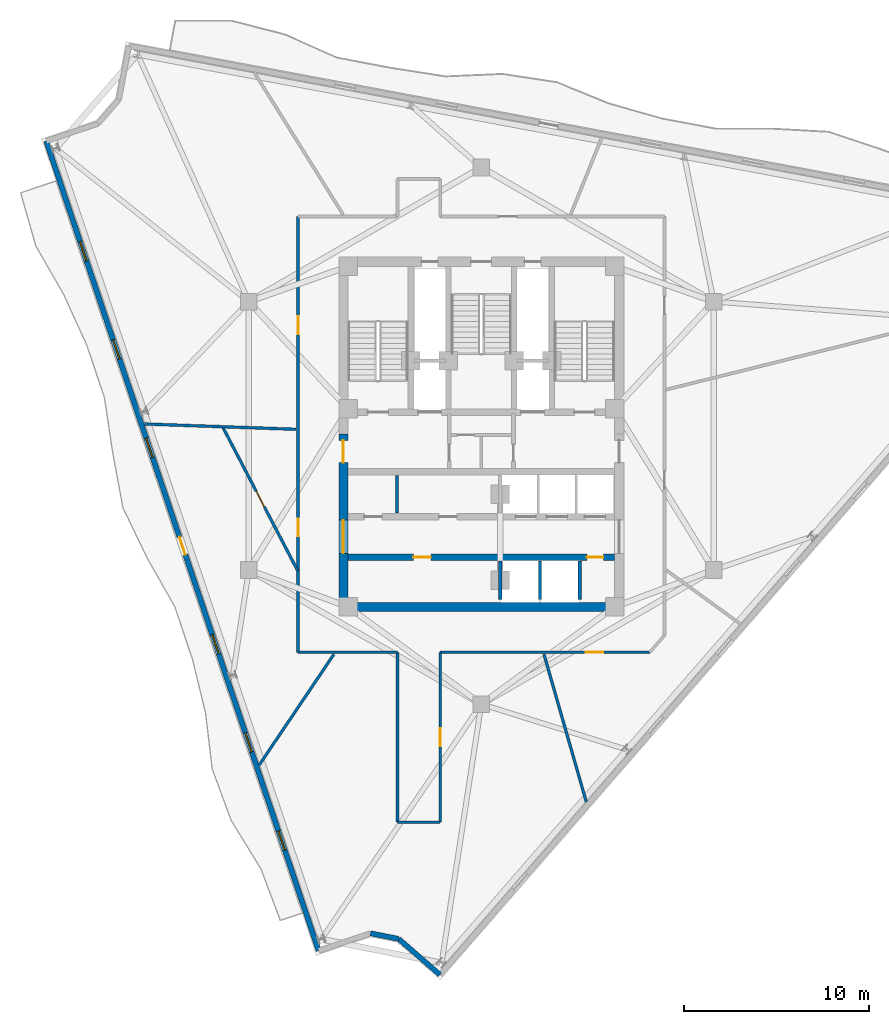
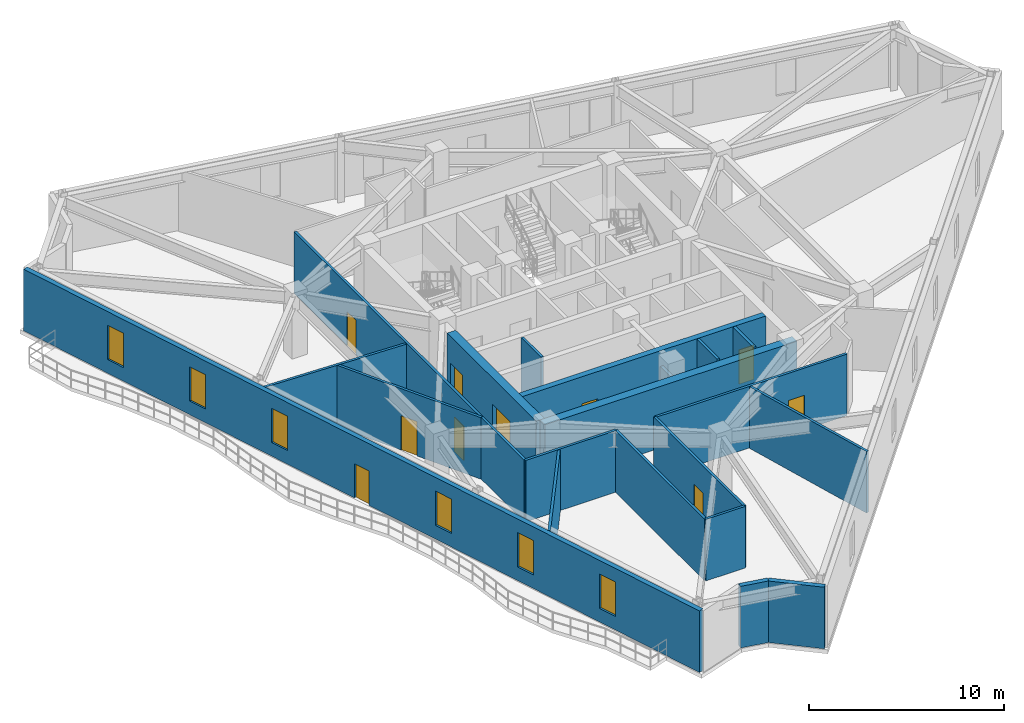
# One storey, part 4 of 9: 20 walls, 10 doors, 6 windows, 16 openings.
"""IFC4 building model written with IfcOpenShell, lengths in metres."""

from ifc_helpers import new_model, si_unit, direction, frame, frame_2d, origin, place, context, subcontext, project, spatial, rectangle, extrude, material, layer, layer_set, type_object, element, fill, save


model = new_model("IFC4")

# Units and contexts
model_context = context("Model", 3, precision=1e-05, world=origin(), true_north=direction((0.0, 1.0)))
body_context = subcontext(model_context, "Body", "Model", "MODEL_VIEW")
ifc_project = project(units=[si_unit("LENGTHUNIT", "METRE"), si_unit("AREAUNIT", "SQUARE_METRE"), si_unit("VOLUMEUNIT", "CUBIC_METRE"), si_unit("PLANEANGLEUNIT", "RADIAN"), si_unit("MASSUNIT", "GRAM", prefix="KILO")], contexts=[model_context])

# Site, building, storey
site_placement = place(None, origin())
site = spatial("IfcSite", under=ifc_project, at=site_placement, CompositionType="ELEMENT")
building_placement = place(site_placement, origin())
building = spatial("IfcBuilding", under=site, at=building_placement, Name="Apsidion Concourse Tower", CompositionType="ELEMENT")
storey_placement = place(building_placement, frame((0.0, 0.0, 277.800048828125)))
storey = spatial("IfcBuildingStorey", under=building, at=storey_placement, Name="L65", CompositionType="ELEMENT", Elevation=277.800048828125)

# Walls
ifc_material_1 = material(Name="Precast concrete C40/50", Category="concrete")
ifc_layer_1 = layer(ifc_material_1, 0.280029296875)
ifc_layer_set_1 = layer_set([ifc_layer_1], Name="Precast concrete C40/50")
wall_type_1 = type_object("IfcWallType", Name="WL-EXT-280", PredefinedType="STANDARD", material=ifc_layer_set_1)
wall_1_placement = place(storey_placement, frame((-2.235595703125, -29.126220703125, 0.0), z_axis=(0.0, 0.0, 1.0), x_axis=(-0.754753154029, 0.656008899698, 0.0)))
element("IfcWall", 1, at=wall_1_placement, inside=storey, type_object=wall_type_1, Name="L65 Precast Stone Facade Wall 06", PredefinedType="STANDARD", context=body_context, shape_type="SweptSolid", body=[
    extrude(rectangle(XDim=2.95458984375, YDim=0.280029296875, at=frame_2d((1.477294921875, 0.0))), origin(), (0.0, 0.0, 1.0), 3.849853515625),
])
wall_2_placement = place(storey_placement, frame((-4.465576171875, -27.18798828125, 0.0), z_axis=(0.0, 0.0, 1.0), x_axis=(-0.980935552899, 0.194333324621, 0.0)))
element("IfcWall", 2, at=wall_2_placement, inside=storey, type_object=wall_type_1, Name="L65 Precast Stone Facade Wall 07", PredefinedType="STANDARD", context=body_context, shape_type="SweptSolid", body=[
    extrude(rectangle(XDim=1.553955078125, YDim=0.280029296875, at=frame_2d((0.77685546875, 0.0))), origin(), (0.0, 0.0, 1.0), 3.849853515625),
])

# Wall, openings, door, windows
wall_3_placement = place(storey_placement, frame((-8.790283203125, -27.828125, 0.0), z_axis=(0.0, 0.0, 1.0), x_axis=(-0.318898365887, 0.947788917552, 0.0)))
wall_3 = element("IfcWall", 3, at=wall_3_placement, inside=storey, type_object=wall_type_1, Name="L65 Precast Stone Facade Wall 09", PredefinedType="STANDARD", context=body_context, shape_type="SweptSolid", body=[
    extrude(rectangle(XDim=46.16259765625, YDim=0.280029296875, at=frame_2d((23.081298828125, 0.0))), origin(), (0.0, 0.0, 1.0), 3.849853515625),
])
opening_1_placement = place(wall_3_placement, frame((22.581298828125, 0.0, 0.0)))
opening_1 = element("IfcOpeningElement", 4, at=opening_1_placement, cuts=wall_3, Name="Opening D-T1L", PredefinedType="OPENING", context=body_context, shape_type="SweptSolid", body=[
    extrude(rectangle(XDim=1.0, YDim=2.14990234375, at=frame_2d((0.5, 1.074951171875))), frame((0.0, 0.14990234375, 0.0), z_axis=(0.0, -1.0, 0.0), x_axis=(1.0, 0.0, 0.0)), (0.0, 0.0, 1.0), 0.300048828125),
])
opening_2_placement = place(wall_3_placement, frame((5.731201171875, 0.0, 0.85009765625)))
opening_2 = element("IfcOpeningElement", 5, at=opening_2_placement, cuts=wall_3, Name="Opening WN-07", PredefinedType="OPENING", context=body_context, shape_type="SweptSolid", body=[
    extrude(rectangle(XDim=1.10009765625, YDim=2.14990234375, at=frame_2d((0.550048828125, 1.074951171875))), frame((0.0, 0.14990234375, 0.0), z_axis=(0.0, -1.0, 0.0), x_axis=(1.0, 0.0, 0.0)), (0.0, 0.0, 1.0), 0.300048828125),
])
opening_3_placement = place(wall_3_placement, frame((11.331298828125, 0.0, 0.85009765625)))
opening_3 = element("IfcOpeningElement", 6, at=opening_3_placement, cuts=wall_3, Name="Opening WN-07", PredefinedType="OPENING", context=body_context, shape_type="SweptSolid", body=[
    extrude(rectangle(XDim=1.10009765625, YDim=2.14990234375, at=frame_2d((0.550048828125, 1.074951171875))), frame((0.0, 0.14990234375, 0.0), z_axis=(0.0, -1.0, 0.0), x_axis=(1.0, 0.0, 0.0)), (0.0, 0.0, 1.0), 0.300048828125),
])
opening_4_placement = place(wall_3_placement, frame((16.931396484375, 0.0, 0.85009765625)))
opening_4 = element("IfcOpeningElement", 7, at=opening_4_placement, cuts=wall_3, Name="Opening WN-07", PredefinedType="OPENING", context=body_context, shape_type="SweptSolid", body=[
    extrude(rectangle(XDim=1.10009765625, YDim=2.14990234375, at=frame_2d((0.550048828125, 1.074951171875))), frame((0.0, 0.14990234375, 0.0), z_axis=(0.0, -1.0, 0.0), x_axis=(1.0, 0.0, 0.0)), (0.0, 0.0, 1.0), 0.300048828125),
])
opening_5_placement = place(wall_3_placement, frame((28.13134765625, 0.0, 0.85009765625)))
opening_5 = element("IfcOpeningElement", 8, at=opening_5_placement, cuts=wall_3, Name="Opening WN-07", PredefinedType="OPENING", context=body_context, shape_type="SweptSolid", body=[
    extrude(rectangle(XDim=1.10009765625, YDim=2.14990234375, at=frame_2d((0.550048828125, 1.074951171875))), frame((0.0, 0.14990234375, 0.0), z_axis=(0.0, -1.0, 0.0), x_axis=(1.0, 0.0, 0.0)), (0.0, 0.0, 1.0), 0.300048828125),
])
opening_6_placement = place(wall_3_placement, frame((33.731201171875, 0.0, 0.85009765625)))
opening_6 = element("IfcOpeningElement", 9, at=opening_6_placement, cuts=wall_3, Name="Opening WN-07", PredefinedType="OPENING", context=body_context, shape_type="SweptSolid", body=[
    extrude(rectangle(XDim=1.10009765625, YDim=2.14990234375, at=frame_2d((0.550048828125, 1.074951171875))), frame((0.0, 0.14990234375, 0.0), z_axis=(0.0, -1.0, 0.0), x_axis=(1.0, 0.0, 0.0)), (0.0, 0.0, 1.0), 0.300048828125),
])
opening_7_placement = place(wall_3_placement, frame((39.331298828125, 0.0, 0.85009765625)))
opening_7 = element("IfcOpeningElement", 10, at=opening_7_placement, cuts=wall_3, Name="Opening WN-07", PredefinedType="OPENING", context=body_context, shape_type="SweptSolid", body=[
    extrude(rectangle(XDim=1.10009765625, YDim=2.14990234375, at=frame_2d((0.550048828125, 1.074951171875))), frame((0.0, 0.14990234375, 0.0), z_axis=(0.0, -1.0, 0.0), x_axis=(1.0, 0.0, 0.0)), (0.0, 0.0, 1.0), 0.300048828125),
])
ifc_material_2 = material(Name="Anodised aluminium EN AW-6063 T6", Category="aluminium")
door_type_1 = type_object("IfcDoorType", Name="DR-TER-1022L", OperationType="SINGLE_SWING_LEFT", PredefinedType="DOOR", material=ifc_material_2)
door_1_placement = place(opening_1_placement, origin())
door_1 = element("IfcDoor", 11, at=door_1_placement, inside=storey, type_object=door_type_1, Name="L65 Balcony Access Door 2", OperationType="SINGLE_SWING_LEFT", OverallHeight=2.14990234375, OverallWidth=1.0, PredefinedType="DOOR", context=body_context, shape_type="SweptSolid", body=[
    extrude(rectangle(XDim=1.0, YDim=2.14990234375, at=frame_2d((0.5, 1.074951171875))), frame((0.0, 0.02490234375, 0.0), z_axis=(0.0, -1.0, 0.0), x_axis=(1.0, 0.0, 0.0)), (0.0, 0.0, 1.0), 0.050048828125),
])
fill(opening_1, door_1)
ifc_material_3 = material(Name="Insulated laminated low-E glass", Category="glass")
window_type = type_object("IfcWindowType", Name="WN-OFF-1123", PartitioningType="SINGLE_PANEL", PredefinedType="WINDOW", material=ifc_material_3)
window_1_placement = place(opening_2_placement, origin())
window_1 = element("IfcWindow", 12, at=window_1_placement, inside=storey, type_object=window_type, Name="L65 Punched Facade Window 9-01", OverallHeight=2.14990234375, OverallWidth=1.10009765625, PartitioningType="SINGLE_PANEL", PredefinedType="WINDOW", context=body_context, shape_type="SweptSolid", body=[
    extrude(rectangle(XDim=1.10009765625, YDim=2.14990234375, at=frame_2d((0.550048828125, 1.074951171875))), frame((0.0, 0.030029296875, 0.0), z_axis=(0.0, -1.0, 0.0), x_axis=(1.0, 0.0, 0.0)), (0.0, 0.0, 1.0), 0.06005859375),
])
fill(opening_2, window_1)
window_2_placement = place(opening_3_placement, origin())
window_2 = element("IfcWindow", 13, at=window_2_placement, inside=storey, type_object=window_type, Name="L65 Punched Facade Window 9-02", OverallHeight=2.14990234375, OverallWidth=1.10009765625, PartitioningType="SINGLE_PANEL", PredefinedType="WINDOW", context=body_context, shape_type="SweptSolid", body=[
    extrude(rectangle(XDim=1.10009765625, YDim=2.14990234375, at=frame_2d((0.550048828125, 1.074951171875))), frame((0.0, 0.030029296875, 0.0), z_axis=(0.0, -1.0, 0.0), x_axis=(1.0, 0.0, 0.0)), (0.0, 0.0, 1.0), 0.06005859375),
])
fill(opening_3, window_2)
window_3_placement = place(opening_4_placement, origin())
window_3 = element("IfcWindow", 14, at=window_3_placement, inside=storey, type_object=window_type, Name="L65 Punched Facade Window 9-03", OverallHeight=2.14990234375, OverallWidth=1.10009765625, PartitioningType="SINGLE_PANEL", PredefinedType="WINDOW", context=body_context, shape_type="SweptSolid", body=[
    extrude(rectangle(XDim=1.10009765625, YDim=2.14990234375, at=frame_2d((0.550048828125, 1.074951171875))), frame((0.0, 0.030029296875, 0.0), z_axis=(0.0, -1.0, 0.0), x_axis=(1.0, 0.0, 0.0)), (0.0, 0.0, 1.0), 0.06005859375),
])
fill(opening_4, window_3)
window_4_placement = place(opening_5_placement, origin())
window_4 = element("IfcWindow", 15, at=window_4_placement, inside=storey, type_object=window_type, Name="L65 Punched Facade Window 9-05", OverallHeight=2.14990234375, OverallWidth=1.10009765625, PartitioningType="SINGLE_PANEL", PredefinedType="WINDOW", context=body_context, shape_type="SweptSolid", body=[
    extrude(rectangle(XDim=1.10009765625, YDim=2.14990234375, at=frame_2d((0.550048828125, 1.074951171875))), frame((0.0, 0.030029296875, 0.0), z_axis=(0.0, -1.0, 0.0), x_axis=(1.0, 0.0, 0.0)), (0.0, 0.0, 1.0), 0.06005859375),
])
fill(opening_5, window_4)
window_5_placement = place(opening_6_placement, origin())
window_5 = element("IfcWindow", 16, at=window_5_placement, inside=storey, type_object=window_type, Name="L65 Punched Facade Window 9-06", OverallHeight=2.14990234375, OverallWidth=1.10009765625, PartitioningType="SINGLE_PANEL", PredefinedType="WINDOW", context=body_context, shape_type="SweptSolid", body=[
    extrude(rectangle(XDim=1.10009765625, YDim=2.14990234375, at=frame_2d((0.550048828125, 1.074951171875))), frame((0.0, 0.030029296875, 0.0), z_axis=(0.0, -1.0, 0.0), x_axis=(1.0, 0.0, 0.0)), (0.0, 0.0, 1.0), 0.06005859375),
])
fill(opening_6, window_5)
window_6_placement = place(opening_7_placement, origin())
window_6 = element("IfcWindow", 17, at=window_6_placement, inside=storey, type_object=window_type, Name="L65 Punched Facade Window 9-07", OverallHeight=2.14990234375, OverallWidth=1.10009765625, PartitioningType="SINGLE_PANEL", PredefinedType="WINDOW", context=body_context, shape_type="SweptSolid", body=[
    extrude(rectangle(XDim=1.10009765625, YDim=2.14990234375, at=frame_2d((0.550048828125, 1.074951171875))), frame((0.0, 0.030029296875, 0.0), z_axis=(0.0, -1.0, 0.0), x_axis=(1.0, 0.0, 0.0)), (0.0, 0.0, 1.0), 0.06005859375),
])
fill(opening_7, window_6)

# Walls
ifc_material_4 = material(Name="Gypsum plasterboard partition")
ifc_layer_2 = layer(ifc_material_4, 0.14990234375)
ifc_layer_set_2 = layer_set([ifc_layer_2], Name="Gypsum plasterboard partition")
wall_type_2 = type_object("IfcWallType", Name="WL-INT-PAR-150", PredefinedType="PARTITIONING", material=ifc_layer_set_2)
wall_4_placement = place(storey_placement, frame((-4.550048828125, -4.179931640625, 0.0), z_axis=(0.0, 0.0, 1.0), x_axis=(0.0, 1.0, 0.0)))
element("IfcWall", 18, at=wall_4_placement, inside=storey, type_object=wall_type_2, Name="L65 Interior Partition WL-L65-B1RV1", PredefinedType="PARTITIONING", context=body_context, shape_type="SweptSolid", body=[
    extrude(rectangle(XDim=2.030029296875, YDim=0.14990234375, at=frame_2d((1.01513671875, 0.0))), origin(), (0.0, 0.0, 1.0), 3.849853515625),
])
wall_5_placement = place(storey_placement, frame((3.175048828125, -8.85009765625, 0.0), z_axis=(0.0, 0.0, 1.0), x_axis=(0.0, 1.0, 0.0)))
element("IfcWall", 19, at=wall_5_placement, inside=storey, type_object=wall_type_2, Name="L65 Interior Partition WL-L65-SHDIV-1", PredefinedType="PARTITIONING", context=body_context, shape_type="SweptSolid", body=[
    extrude(rectangle(XDim=2.080078125, YDim=0.14990234375, at=frame_2d((1.0400390625, 0.0))), origin(), (0.0, 0.0, 1.0), 3.849853515625),
])
wall_6_placement = place(storey_placement, frame((-4.530029296875, -11.699951171875, 0.0), z_axis=(0.0, 0.0, 1.0), x_axis=(-1.0, 0.0, 0.0)))
element("IfcWall", 20, at=wall_6_placement, inside=storey, type_object=wall_type_2, Name="L65 Interior Partition WL-L65-CORR-01", PredefinedType="PARTITIONING", context=body_context, shape_type="SweptSolid", body=[
    extrude(rectangle(XDim=5.369873046875, YDim=0.14990234375, at=frame_2d((2.68505859375, 0.0))), origin(), (0.0, 0.0, 1.0), 3.849853515625),
])

# Wall, openings, doors
wall_7_placement = place(storey_placement, frame((-9.89990234375, -11.699951171875, 0.0), z_axis=(0.0, 0.0, 1.0), x_axis=(0.0, 1.0, 0.0)))
wall_7 = element("IfcWall", 21, at=wall_7_placement, inside=storey, type_object=wall_type_2, Name="L65 Interior Partition WL-L65-CORR-02", PredefinedType="PARTITIONING", context=body_context, shape_type="SweptSolid", body=[
    extrude(rectangle(XDim=23.550048828125, YDim=0.14990234375, at=frame_2d((11.77490234375, 0.0))), origin(), (0.0, 0.0, 1.0), 3.849853515625),
])
opening_8_placement = place(wall_7_placement, frame((6.2763671875, 0.0, 0.0)))
opening_8 = element("IfcOpeningElement", 22, at=opening_8_placement, cuts=wall_7, Name="Opening D-01L", PredefinedType="OPENING", context=body_context, shape_type="SweptSolid", body=[
    extrude(rectangle(XDim=0.949951171875, YDim=2.14990234375, at=frame_2d((0.47509765625, 1.074951171875))), frame((0.0, 0.0849609375, 0.0), z_axis=(0.0, -1.0, 0.0), x_axis=(1.0, 0.0, 0.0)), (0.0, 0.0, 1.0), 0.169921875),
])
opening_9_placement = place(wall_7_placement, frame((17.197021484375, 0.0, 0.0)))
opening_9 = element("IfcOpeningElement", 23, at=opening_9_placement, cuts=wall_7, Name="Opening D-01L", PredefinedType="OPENING", context=body_context, shape_type="SweptSolid", body=[
    extrude(rectangle(XDim=0.949951171875, YDim=2.14990234375, at=frame_2d((0.47509765625, 1.074951171875))), frame((0.0, 0.0849609375, 0.0), z_axis=(0.0, -1.0, 0.0), x_axis=(1.0, 0.0, 0.0)), (0.0, 0.0, 1.0), 0.169921875),
])
ifc_material_5 = material(Name="Brushed stainless steel 316", Category="steel")
door_type_2 = type_object("IfcDoorType", Name="DR-INT-D01L", OperationType="SINGLE_SWING_LEFT", PredefinedType="DOOR", material=ifc_material_5)
door_2_placement = place(opening_8_placement, origin())
door_2 = element("IfcDoor", 24, at=door_2_placement, inside=storey, type_object=door_type_2, Name="L65 Corridor Entry Door 01", OperationType="SINGLE_SWING_LEFT", OverallHeight=2.14990234375, OverallWidth=0.949951171875, PredefinedType="DOOR", context=body_context, shape_type="SweptSolid", body=[
    extrude(rectangle(XDim=0.949951171875, YDim=2.14990234375, at=frame_2d((0.47509765625, 1.074951171875))), frame((0.0, 0.02490234375, 0.0), z_axis=(0.0, -1.0, 0.0), x_axis=(1.0, 0.0, 0.0)), (0.0, 0.0, 1.0), 0.050048828125),
])
fill(opening_8, door_2)
door_3_placement = place(opening_9_placement, origin())
door_3 = element("IfcDoor", 25, at=door_3_placement, inside=storey, type_object=door_type_2, Name="L65 Corridor Entry Door 07", OperationType="SINGLE_SWING_LEFT", OverallHeight=2.14990234375, OverallWidth=0.949951171875, PredefinedType="DOOR", context=body_context, shape_type="SweptSolid", body=[
    extrude(rectangle(XDim=0.949951171875, YDim=2.14990234375, at=frame_2d((0.47509765625, 1.074951171875))), frame((0.0, 0.02490234375, 0.0), z_axis=(0.0, -1.0, 0.0), x_axis=(1.0, 0.0, 0.0)), (0.0, 0.0, 1.0), 0.050048828125),
])
fill(opening_9, door_3)

# Wall, opening, door
wall_8_placement = place(storey_placement, frame((9.103271484375, -11.699951171875, 0.0), z_axis=(0.0, 0.0, 1.0), x_axis=(-1.0, 0.0, 0.0)))
wall_8 = element("IfcWall", 26, at=wall_8_placement, inside=storey, type_object=wall_type_2, Name="L65 Interior Partition WL-L65-CORR-10", PredefinedType="PARTITIONING", context=body_context, shape_type="SweptSolid", body=[
    extrude(rectangle(XDim=11.3232421875, YDim=0.14990234375, at=frame_2d((5.66162109375, 0.0))), origin(), (0.0, 0.0, 1.0), 3.849853515625),
])
opening_10_placement = place(wall_8_placement, frame((2.51318359375, 0.0, 0.0)))
opening_10 = element("IfcOpeningElement", 27, at=opening_10_placement, cuts=wall_8, Name="Opening D-01L", PredefinedType="OPENING", context=body_context, shape_type="SweptSolid", body=[
    extrude(rectangle(XDim=0.949951171875, YDim=2.14990234375, at=frame_2d((0.47509765625, 1.074951171875))), frame((0.0, 0.0849609375, 0.0), z_axis=(0.0, -1.0, 0.0), x_axis=(1.0, 0.0, 0.0)), (0.0, 0.0, 1.0), 0.169921875),
])
door_4_placement = place(opening_10_placement, origin())
door_4 = element("IfcDoor", 28, at=door_4_placement, inside=storey, type_object=door_type_2, Name="L65 Corridor Entry Door 03", OperationType="SINGLE_SWING_LEFT", OverallHeight=2.14990234375, OverallWidth=0.949951171875, PredefinedType="DOOR", context=body_context, shape_type="SweptSolid", body=[
    extrude(rectangle(XDim=0.949951171875, YDim=2.14990234375, at=frame_2d((0.47509765625, 1.074951171875))), frame((0.0, 0.02490234375, 0.0), z_axis=(0.0, -1.0, 0.0), x_axis=(1.0, 0.0, 0.0)), (0.0, 0.0, 1.0), 0.050048828125),
])
fill(opening_10, door_4)

wall_9_placement = place(storey_placement, frame((-2.219970703125, -11.699951171875, 0.0), z_axis=(0.0, 0.0, 1.0), x_axis=(0.0, -1.0, 0.0)))
wall_9 = element("IfcWall", 29, at=wall_9_placement, inside=storey, type_object=wall_type_2, Name="L65 Interior Partition WL-L65-CORR-11", PredefinedType="PARTITIONING", context=body_context, shape_type="SweptSolid", body=[
    extrude(rectangle(XDim=9.179931640625, YDim=0.14990234375, at=frame_2d((4.58984375, 0.0))), origin(), (0.0, 0.0, 1.0), 3.849853515625),
])
opening_11_placement = place(wall_9_placement, frame((4.114990234375, 0.0, 0.0)))
opening_11 = element("IfcOpeningElement", 30, at=opening_11_placement, cuts=wall_9, Name="Opening D-01R", PredefinedType="OPENING", context=body_context, shape_type="SweptSolid", body=[
    extrude(rectangle(XDim=0.949951171875, YDim=2.14990234375, at=frame_2d((0.47509765625, 1.074951171875))), frame((0.0, 0.0849609375, 0.0), z_axis=(0.0, -1.0, 0.0), x_axis=(1.0, 0.0, 0.0)), (0.0, 0.0, 1.0), 0.169921875),
])
door_type_3 = type_object("IfcDoorType", Name="DR-INT-D01R", OperationType="SINGLE_SWING_RIGHT", PredefinedType="DOOR", material=ifc_material_5)
door_5_placement = place(opening_11_placement, origin())
door_5 = element("IfcDoor", 31, at=door_5_placement, inside=storey, type_object=door_type_3, Name="L65 Corridor Entry Door 02", OperationType="SINGLE_SWING_RIGHT", OverallHeight=2.14990234375, OverallWidth=0.949951171875, PredefinedType="DOOR", context=body_context, shape_type="SweptSolid", body=[
    extrude(rectangle(XDim=0.949951171875, YDim=2.14990234375, at=frame_2d((0.47509765625, 1.074951171875))), frame((0.0, 0.02490234375, 0.0), z_axis=(0.0, -1.0, 0.0), x_axis=(1.0, 0.0, 0.0)), (0.0, 0.0, 1.0), 0.050048828125),
])
fill(opening_11, door_5)

# Walls
wall_10_placement = place(storey_placement, frame((-2.219970703125, -20.8798828125, 0.0), z_axis=(0.0, 0.0, 1.0), x_axis=(-1.0, 0.0, 0.0)))
element("IfcWall", 32, at=wall_10_placement, inside=storey, type_object=wall_type_2, Name="L65 Interior Partition WL-L65-CORR-12", PredefinedType="PARTITIONING", context=body_context, shape_type="SweptSolid", body=[
    extrude(rectangle(XDim=2.31005859375, YDim=0.14990234375, at=frame_2d((1.155029296875, 0.0))), origin(), (0.0, 0.0, 1.0), 3.849853515625),
])
wall_11_placement = place(storey_placement, frame((-4.530029296875, -20.8798828125, 0.0), z_axis=(0.0, 0.0, 1.0), x_axis=(0.0, 1.0, 0.0)))
element("IfcWall", 33, at=wall_11_placement, inside=storey, type_object=wall_type_2, Name="L65 Interior Partition WL-L65-CORR-13", PredefinedType="PARTITIONING", context=body_context, shape_type="SweptSolid", body=[
    extrude(rectangle(XDim=9.179931640625, YDim=0.14990234375, at=frame_2d((4.58984375, 0.0))), origin(), (0.0, 0.0, 1.0), 3.849853515625),
])
wall_12_placement = place(storey_placement, frame((-10.0048828125, 0.349365234375, 0.0), z_axis=(0.0, 0.0, 1.0), x_axis=(-0.999390561488, 0.034907099682, 0.0)))
element("IfcWall", 34, at=wall_12_placement, inside=storey, type_object=wall_type_2, Name="L65 Interior Partition WL-L65-RAD-04-1", PredefinedType="PARTITIONING", context=body_context, shape_type="SweptSolid", body=[
    extrude(rectangle(XDim=8.203857421875, YDim=0.14990234375, at=frame_2d((4.10205078125, 0.0))), origin(), (0.0, 0.0, 1.0), 3.849853515625),
])
wall_13_placement = place(storey_placement, frame((-7.962646484375, -11.804931640625, 0.0), z_axis=(0.0, 0.0, 1.0), x_axis=(-0.55918380031, -0.829043712642, 0.0)))
element("IfcWall", 35, at=wall_13_placement, inside=storey, type_object=wall_type_2, Name="L65 Interior Partition WL-L65-RAD-05-1", PredefinedType="PARTITIONING", context=body_context, shape_type="SweptSolid", body=[
    extrude(rectangle(XDim=7.224853515625, YDim=0.14990234375, at=frame_2d((3.6123046875, 0.0))), origin(), (0.0, 0.0, 1.0), 3.849853515625),
])
wall_14_placement = place(storey_placement, frame((3.385009765625, -11.804931640625, 0.0), z_axis=(0.0, 0.0, 1.0), x_axis=(0.275648725589, -0.961258435636, 0.0)))
element("IfcWall", 36, at=wall_14_placement, inside=storey, type_object=wall_type_2, Name="L65 Interior Partition WL-L65-RAD-06-1", PredefinedType="PARTITIONING", context=body_context, shape_type="SweptSolid", body=[
    extrude(rectangle(XDim=8.306884765625, YDim=0.14990234375, at=frame_2d((4.1533203125, 0.0))), origin(), (0.0, 0.0, 1.0), 3.849853515625),
])

# Wall, opening, door
wall_15_placement = place(storey_placement, frame((-13.967041015625, 0.462646484375, 0.0), z_axis=(0.0, 0.0, 1.0), x_axis=(0.462401079281, -0.886670875737, 0.0)))
wall_15 = element("IfcWall", 37, at=wall_15_placement, inside=storey, type_object=wall_type_2, Name="L65 Interior Partition WL-L65-CHD-OFWC", PredefinedType="PARTITIONING", context=body_context, shape_type="SweptSolid", body=[
    extrude(rectangle(XDim=8.75244140625, YDim=0.14990234375, at=frame_2d((4.376220703125, 0.0))), origin(), (0.0, 0.0, 1.0), 3.849853515625),
])
opening_12_placement = place(wall_15_placement, frame((3.901123046875, 0.0, 0.0)))
opening_12 = element("IfcOpeningElement", 38, at=opening_12_placement, cuts=wall_15, Name="Opening D-04L", PredefinedType="OPENING", context=body_context, shape_type="SweptSolid", body=[
    extrude(rectangle(XDim=0.949951171875, YDim=2.14990234375, at=frame_2d((0.47509765625, 1.074951171875))), frame((0.0, 0.0849609375, 0.0), z_axis=(0.0, -1.0, 0.0), x_axis=(1.0, 0.0, 0.0)), (0.0, 0.0, 1.0), 0.169921875),
])
door_type_4 = type_object("IfcDoorType", Name="DR-INT-D04L", OperationType="SINGLE_SWING_LEFT", PredefinedType="DOOR", material=ifc_material_5)
door_6_placement = place(opening_12_placement, origin())
door_6 = element("IfcDoor", 39, at=door_6_placement, inside=storey, type_object=door_type_4, Name="L65 Suite Connecting Door OFWC", OperationType="SINGLE_SWING_LEFT", OverallHeight=2.14990234375, OverallWidth=0.949951171875, PredefinedType="DOOR", context=body_context, shape_type="SweptSolid", body=[
    extrude(rectangle(XDim=0.949951171875, YDim=2.14990234375, at=frame_2d((0.47509765625, 1.074951171875))), frame((0.0, 0.02490234375, 0.0), z_axis=(0.0, -1.0, 0.0), x_axis=(1.0, 0.0, 0.0)), (0.0, 0.0, 1.0), 0.050048828125),
])
fill(opening_12, door_6)

# Walls
ifc_layer_3 = layer(ifc_material_4, 0.179931640625)
ifc_layer_set_3 = layer_set([ifc_layer_3], Name="Gypsum plasterboard partition")
wall_type_3 = type_object("IfcWallType", Name="WL-INT-PAR-180", PredefinedType="PARTITIONING", material=ifc_layer_set_3)
wall_16_placement = place(storey_placement, frame((1.02490234375, -8.85009765625, 0.0), z_axis=(0.0, 0.0, 1.0), x_axis=(0.0, 1.0, 0.0)))
element("IfcWall", 40, at=wall_16_placement, inside=storey, type_object=wall_type_3, Name="L65 Interior Partition WL-L65-B2END", PredefinedType="PARTITIONING", context=body_context, shape_type="SweptSolid", body=[
    extrude(rectangle(XDim=2.080078125, YDim=0.179931640625, at=frame_2d((1.0400390625, 0.0))), origin(), (0.0, 0.0, 1.0), 2.89794921875),
])
wall_17_placement = place(storey_placement, frame((5.324951171875, -8.85009765625, 0.0), z_axis=(0.0, 0.0, 1.0), x_axis=(0.0, 1.0, 0.0)))
element("IfcWall", 41, at=wall_17_placement, inside=storey, type_object=wall_type_3, Name="L65 Interior Partition WL-L65-SHDIV-2", PredefinedType="PARTITIONING", context=body_context, shape_type="SweptSolid", body=[
    extrude(rectangle(XDim=2.080078125, YDim=0.179931640625, at=frame_2d((1.0400390625, 0.0))), origin(), (0.0, 0.0, 1.0), 3.849853515625),
])

# Wall, openings, doors
ifc_material_6 = material(Name="Concrete C50/60", Category="concrete")
ifc_layer_4 = layer(ifc_material_6, 0.35009765625)
ifc_layer_set_4 = layer_set([ifc_layer_4], Name="Concrete C50/60")
wall_type_4 = type_object("IfcWallType", Name="WL-SH-350", PredefinedType="SHEAR", material=ifc_layer_set_4)
wall_18_placement = place(storey_placement, frame((-7.199951171875, -6.570068359375, 0.0), z_axis=(0.0, 0.0, 1.0), x_axis=(1.0, 0.0, 0.0)))
wall_18 = element("IfcWall", 42, at=wall_18_placement, inside=storey, type_object=wall_type_4, Name="L65 Central Core Shear Wall LB", PredefinedType="SHEAR", context=body_context, shape_type="SweptSolid", body=[
    extrude(rectangle(XDim=14.39990234375, YDim=0.35009765625, at=frame_2d((7.199951171875, 0.0))), origin(), (0.0, 0.0, 1.0), 3.849853515625),
])
opening_13_placement = place(wall_18_placement, frame((3.52490234375, 0.0, 0.0)))
opening_13 = element("IfcOpeningElement", 43, at=opening_13_placement, cuts=wall_18, Name="Opening D-04L", PredefinedType="OPENING", context=body_context, shape_type="SweptSolid", body=[
    extrude(rectangle(XDim=0.949951171875, YDim=2.14990234375, at=frame_2d((0.47509765625, 1.074951171875))), frame((0.0, 0.18505859375, 0.0), z_axis=(0.0, -1.0, 0.0), x_axis=(1.0, 0.0, 0.0)), (0.0, 0.0, 1.0), 0.3701171875),
])
opening_14_placement = place(wall_18_placement, frame((12.909912109375, 0.0, 0.0)))
opening_14 = element("IfcOpeningElement", 44, at=opening_14_placement, cuts=wall_18, Name="Opening D-05L", PredefinedType="OPENING", context=body_context, shape_type="SweptSolid", body=[
    extrude(rectangle(XDim=0.8798828125, YDim=2.14990234375, at=frame_2d((0.43994140625, 1.074951171875))), frame((0.0, 0.18505859375, 0.0), z_axis=(0.0, -1.0, 0.0), x_axis=(1.0, 0.0, 0.0)), (0.0, 0.0, 1.0), 0.3701171875),
])
door_7_placement = place(opening_13_placement, origin())
door_7 = element("IfcDoor", 45, at=door_7_placement, inside=storey, type_object=door_type_4, Name="L65 Executive Archive and Mail Room Door", OperationType="SINGLE_SWING_LEFT", OverallHeight=2.14990234375, OverallWidth=0.949951171875, PredefinedType="DOOR", context=body_context, shape_type="SweptSolid", body=[
    extrude(rectangle(XDim=0.949951171875, YDim=2.14990234375, at=frame_2d((0.47509765625, 1.074951171875))), frame((0.0, 0.02490234375, 0.0), z_axis=(0.0, -1.0, 0.0), x_axis=(1.0, 0.0, 0.0)), (0.0, 0.0, 1.0), 0.050048828125),
])
fill(opening_13, door_7)
door_type_5 = type_object("IfcDoorType", Name="DR-INT-D05L", OperationType="SINGLE_SWING_LEFT", PredefinedType="DOOR", material=ifc_material_5)
door_8_placement = place(opening_14_placement, origin())
door_8 = element("IfcDoor", 46, at=door_8_placement, inside=storey, type_object=door_type_5, Name="L65 Cleaners Store Door", OperationType="SINGLE_SWING_LEFT", OverallHeight=2.14990234375, OverallWidth=0.8798828125, PredefinedType="DOOR", context=body_context, shape_type="SweptSolid", body=[
    extrude(rectangle(XDim=0.8798828125, YDim=2.14990234375, at=frame_2d((0.43994140625, 1.074951171875))), frame((0.0, 0.02490234375, 0.0), z_axis=(0.0, -1.0, 0.0), x_axis=(1.0, 0.0, 0.0)), (0.0, 0.0, 1.0), 0.050048828125),
])
fill(opening_14, door_8)

ifc_layer_5 = layer(ifc_material_6, 0.5)
ifc_layer_set_5 = layer_set([ifc_layer_5], Name="Concrete C50/60")
wall_type_5 = type_object("IfcWallType", Name="WL-SH-500", PredefinedType="SHEAR", material=ifc_layer_set_5)
wall_19_placement = place(storey_placement, frame((-7.449951171875, -9.0, 0.0), z_axis=(0.0, 0.0, 1.0), x_axis=(0.0, 1.0, 0.0)))
wall_19 = element("IfcWall", 47, at=wall_19_placement, inside=storey, type_object=wall_type_5, Name="L65 Central Core Shear Wall WS", PredefinedType="SHEAR", context=body_context, shape_type="SweptSolid", body=[
    extrude(rectangle(XDim=9.10009765625, YDim=0.5, at=frame_2d((4.550048828125, 0.0))), origin(), (0.0, 0.0, 1.0), 3.849853515625),
])
opening_15_placement = place(wall_19_placement, frame((2.639892578125, 0.0, 0.0)))
opening_15 = element("IfcOpeningElement", 48, at=opening_15_placement, cuts=wall_19, Name="Opening D-06D", PredefinedType="OPENING", context=body_context, shape_type="SweptSolid", body=[
    extrude(rectangle(XDim=1.800048828125, YDim=2.199951171875, at=frame_2d((0.89990234375, 1.10009765625))), frame((0.0, 0.260009765625, 0.0), z_axis=(0.0, -1.0, 0.0), x_axis=(1.0, 0.0, 0.0)), (0.0, 0.0, 1.0), 0.52001953125),
])
opening_16_placement = place(wall_19_placement, frame((7.550048828125, 0.0, 0.0)))
opening_16 = element("IfcOpeningElement", 49, at=opening_16_placement, cuts=wall_19, Name="Opening D-FFL", PredefinedType="OPENING", context=body_context, shape_type="SweptSolid", body=[
    extrude(rectangle(XDim=1.199951171875, YDim=2.14990234375, at=frame_2d((0.60009765625, 1.074951171875))), frame((0.0, 0.260009765625, 0.0), z_axis=(0.0, -1.0, 0.0), x_axis=(1.0, 0.0, 0.0)), (0.0, 0.0, 1.0), 0.52001953125),
])
door_type_6 = type_object("IfcDoorType", Name="DR-INT-D06D", OperationType="DOUBLE_DOOR_SINGLE_SWING", PredefinedType="DOOR", material=ifc_material_5)
door_9_placement = place(opening_15_placement, origin())
door_9 = element("IfcDoor", 50, at=door_9_placement, inside=storey, type_object=door_type_6, Name="L65 Passenger Lift Lobby WS Portal Door", OperationType="DOUBLE_DOOR_SINGLE_SWING", OverallHeight=2.199951171875, OverallWidth=1.800048828125, PredefinedType="DOOR", context=body_context, shape_type="SweptSolid", body=[
    extrude(rectangle(XDim=1.800048828125, YDim=2.199951171875, at=frame_2d((0.89990234375, 1.10009765625))), frame((0.0, 0.02490234375, 0.0), z_axis=(0.0, -1.0, 0.0), x_axis=(1.0, 0.0, 0.0)), (0.0, 0.0, 1.0), 0.050048828125),
])
fill(opening_15, door_9)
door_type_7 = type_object("IfcDoorType", Name="DR-INT-FFL", OperationType="SINGLE_SWING_LEFT", PredefinedType="DOOR", material=ifc_material_5)
door_10_placement = place(opening_16_placement, origin())
door_10 = element("IfcDoor", 51, at=door_10_placement, inside=storey, type_object=door_type_7, Name="L65 Firefighting Lift Lobby FF1 Door", OperationType="SINGLE_SWING_LEFT", OverallHeight=2.14990234375, OverallWidth=1.199951171875, PredefinedType="DOOR", context=body_context, shape_type="SweptSolid", body=[
    extrude(rectangle(XDim=1.199951171875, YDim=2.14990234375, at=frame_2d((0.60009765625, 1.074951171875))), frame((0.0, 0.02490234375, 0.0), z_axis=(0.0, -1.0, 0.0), x_axis=(1.0, 0.0, 0.0)), (0.0, 0.0, 1.0), 0.050048828125),
])
fill(opening_16, door_10)

# Wall
wall_20_placement = place(storey_placement, frame((-7.449951171875, -9.25, 0.0), z_axis=(0.0, 0.0, 1.0), x_axis=(1.0, 0.0, 0.0)))
element("IfcWall", 52, at=wall_20_placement, inside=storey, type_object=wall_type_5, Name="L65 Central Core Shear Wall S", PredefinedType="SHEAR", context=body_context, shape_type="SweptSolid", body=[
    extrude(rectangle(XDim=14.89990234375, YDim=0.5, at=frame_2d((7.449951171875, 0.0))), origin(), (0.0, 0.0, 1.0), 3.849853515625),
])

save(model, "model.ifc")
